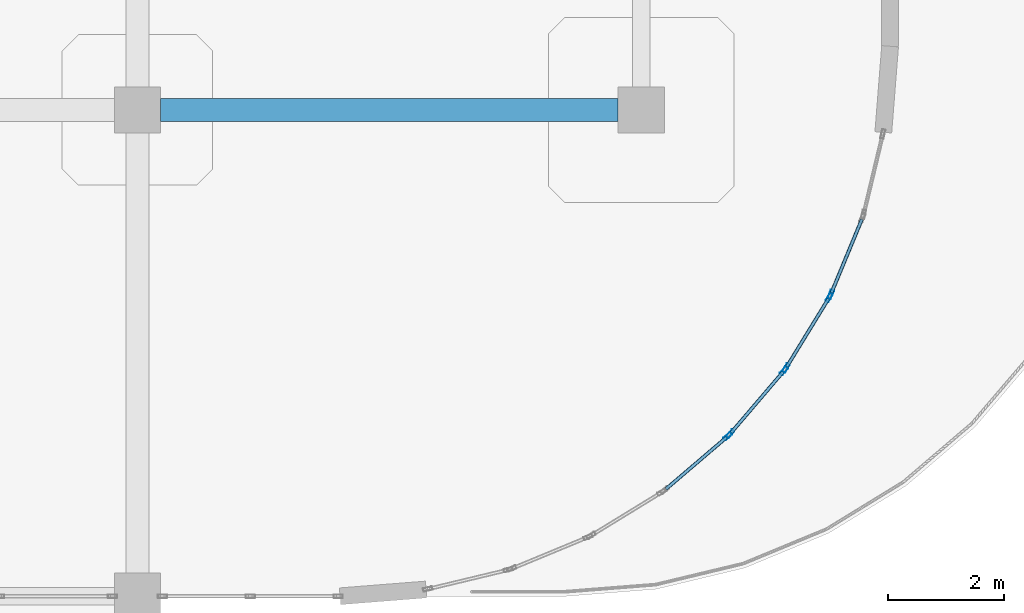
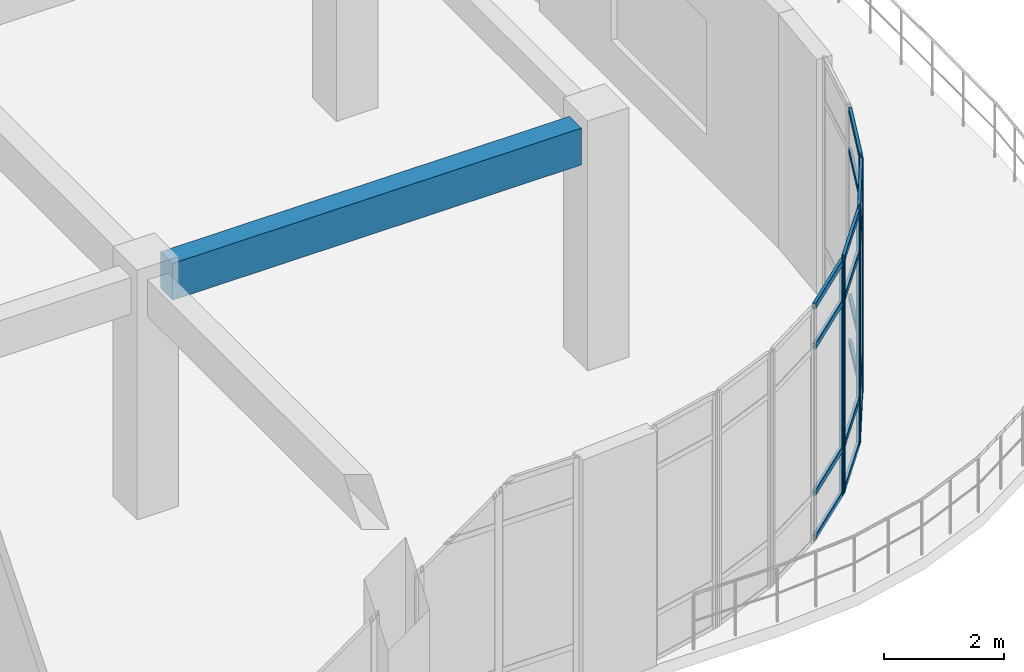
# One storey, part 82 of 124: 22 members, 1 beam, 4 elements without a shape of their own.
"""IFC4 building model written with IfcOpenShell, lengths in metres."""

from ifc_helpers import new_model, si_unit, derived_unit, direction, frame, origin, origin_2d, place, context, subcontext, project, spatial, rectangle, hollow_rectangle, extrude, material, layer, layer_set, material_profile, profile_set, type_object, element, aggregate, save


model = new_model("IFC4")

# Units and contexts
model_context = context("Model", 3, precision=1e-05, world=origin(), true_north=direction((0.0, 1.0)))
body_context = subcontext(model_context, "Body", "Model", "MODEL_VIEW")
ifc_project = project(units=[si_unit("LENGTHUNIT", "METRE"), si_unit("AREAUNIT", "SQUARE_METRE"), si_unit("VOLUMEUNIT", "CUBIC_METRE"), si_unit("PLANEANGLEUNIT", "RADIAN"), si_unit("MASSUNIT", "GRAM", prefix="KILO"), derived_unit("THERMALTRANSMITTANCEUNIT", [(si_unit("MASSUNIT", "GRAM", prefix="KILO"), 1), (si_unit("TIMEUNIT", "SECOND"), -3), (si_unit("THERMODYNAMICTEMPERATUREUNIT", "KELVIN"), -1)])], contexts=[model_context])

# Site, building, storey
site_placement = place(None, origin())
site = spatial("IfcSite", under=ifc_project, at=site_placement, CompositionType="ELEMENT")
building_placement = place(site_placement, origin())
building = spatial("IfcBuilding", under=site, at=building_placement, Name="Qinzheling Arcade Emporium", CompositionType="ELEMENT")
storey_placement = place(building_placement, frame((0.0, 0.0, 16.5)))
storey = spatial("IfcBuildingStorey", under=building, at=storey_placement, Name="L04", CompositionType="ELEMENT", Elevation=16.5)

# Curtain wall, member
ifc_material_1 = material(Name="Anodised aluminium and solar-control double glazing", Category="aluminium")
ifc_layer = layer(ifc_material_1, 0.159912109375, Name="Anodised aluminium and solar-control double glazing", Category="aluminium")
ifc_layer_set = layer_set([ifc_layer], Name="Anodised aluminium and solar-control double glazing")
curtain_wall_type = type_object("IfcCurtainWallType", Name="Curved Ribbon Sales Curtain Wall", PredefinedType="NOTDEFINED", material=ifc_layer_set)
curtain_wall_1_placement = place(storey_placement, origin())
curtain_wall_1 = element("IfcCurtainWall", 1, at=curtain_wall_1_placement, inside=storey, type_object=curtain_wall_type, Name="Curtain Wall CW-L04-275", PredefinedType="NOTDEFINED")
ifc_material_2 = material(Name="Anodised aluminium 6063-T6", Category="aluminium")
ifc_material_profile_1 = material_profile(ifc_material_2, hollow_rectangle(XDim=0.06005859375, YDim=0.159912109375, WallThickness=0.00390625, InnerFilletRadius=0.00390625, OuterFilletRadius=0.008056640625, at=origin_2d()), Name="RHS 160x60x4", Category="aluminium")
ifc_profile_set_1 = profile_set([ifc_material_profile_1], Name="Anodised aluminium 6063-T6")
member_type_1 = type_object("IfcMemberType", Name="Curtain Wall Mullion RHS160x60", PredefinedType="MULLION", material=ifc_profile_set_1)
member_1_placement = place(storey_placement, frame((142.4765625, 79.0146484375, 0.0), z_axis=(0.0, 0.0, 1.0), x_axis=(0.923967777063, -0.382470321658, 0.0)))
member_1 = element("IfcMember", 2, at=member_1_placement, type_object=member_type_1, Name="CW02 mullion 2", PredefinedType="MULLION", context=body_context, shape_type="SweptSolid", body=[
    extrude(hollow_rectangle(XDim=0.06005859375, YDim=0.159912109375, WallThickness=0.00390625, InnerFilletRadius=0.00390625, OuterFilletRadius=0.008056640625, at=origin_2d()), origin(), (0.0, 0.0, 1.0), 4.7900390625),
])

# Curtain wall, members
curtain_wall_2_placement = place(storey_placement, origin())
curtain_wall_2 = element("IfcCurtainWall", 3, at=curtain_wall_2_placement, inside=storey, type_object=curtain_wall_type, Name="Curtain Wall CW-L04-276", PredefinedType="NOTDEFINED")
member_2_placement = place(storey_placement, frame((142.44921875, 78.96142578125, 0.0), z_axis=(0.0, 0.0, 1.0), x_axis=(0.852601252413, -0.522562057926, 0.0)))
member_2 = element("IfcMember", 4, at=member_2_placement, type_object=member_type_1, Name="CW02 mullion 1", PredefinedType="MULLION", context=body_context, shape_type="SweptSolid", body=[
    extrude(hollow_rectangle(XDim=0.06005859375, YDim=0.159912109375, WallThickness=0.00390625, InnerFilletRadius=0.00390625, OuterFilletRadius=0.008056640625, at=origin_2d()), origin(), (0.0, 0.0, 1.0), 4.7900390625),
])
member_3_placement = place(storey_placement, frame((141.70166015625, 77.74169921875, 0.0), z_axis=(0.0, 0.0, 1.0), x_axis=(0.852601252413, -0.522562057926, 0.0)))
member_3 = element("IfcMember", 5, at=member_3_placement, type_object=member_type_1, Name="CW02 mullion 2", PredefinedType="MULLION", context=body_context, shape_type="SweptSolid", body=[
    extrude(hollow_rectangle(XDim=0.06005859375, YDim=0.159912109375, WallThickness=0.00390625, InnerFilletRadius=0.00390625, OuterFilletRadius=0.008056640625, at=origin_2d()), origin(), (0.0, 0.0, 1.0), 4.7900390625),
])

curtain_wall_3_placement = place(storey_placement, origin())
curtain_wall_3 = element("IfcCurtainWall", 6, at=curtain_wall_3_placement, inside=storey, type_object=curtain_wall_type, Name="Curtain Wall CW-L04-277", PredefinedType="NOTDEFINED")
member_4_placement = place(storey_placement, frame((141.66650390625, 77.693115234375, 0.0), z_axis=(0.0, 0.0, 1.0), x_axis=(0.760580657994, -0.649243454095, 0.0)))
member_4 = element("IfcMember", 7, at=member_4_placement, type_object=member_type_1, Name="CW02 mullion 1", PredefinedType="MULLION", context=body_context, shape_type="SweptSolid", body=[
    extrude(hollow_rectangle(XDim=0.06005859375, YDim=0.159912109375, WallThickness=0.00390625, InnerFilletRadius=0.00390625, OuterFilletRadius=0.008056640625, at=origin_2d()), origin(), (0.0, 0.0, 1.0), 4.7900390625),
])
member_5_placement = place(storey_placement, frame((140.737548828125, 76.604736328125, 0.0), z_axis=(0.0, 0.0, 1.0), x_axis=(0.760580657994, -0.649243454095, 0.0)))
member_5 = element("IfcMember", 8, at=member_5_placement, type_object=member_type_1, Name="CW02 mullion 2", PredefinedType="MULLION", context=body_context, shape_type="SweptSolid", body=[
    extrude(hollow_rectangle(XDim=0.06005859375, YDim=0.159912109375, WallThickness=0.00390625, InnerFilletRadius=0.00390625, OuterFilletRadius=0.008056640625, at=origin_2d()), origin(), (0.0, 0.0, 1.0), 4.7900390625),
])

# Curtain wall, member
curtain_wall_4_placement = place(storey_placement, origin())
curtain_wall_4 = element("IfcCurtainWall", 9, at=curtain_wall_4_placement, inside=storey, type_object=curtain_wall_type, Name="Curtain Wall CW-L04-278", PredefinedType="NOTDEFINED")
member_6_placement = place(storey_placement, frame((140.695068359375, 76.5625, 0.0), z_axis=(0.0, 0.0, 1.0), x_axis=(0.649243454095, -0.760580657994, 0.0)))
member_6 = element("IfcMember", 10, at=member_6_placement, type_object=member_type_1, Name="CW02 mullion 1", PredefinedType="MULLION", context=body_context, shape_type="SweptSolid", body=[
    extrude(hollow_rectangle(XDim=0.06005859375, YDim=0.159912109375, WallThickness=0.00390625, InnerFilletRadius=0.00390625, OuterFilletRadius=0.008056640625, at=origin_2d()), origin(), (0.0, 0.0, 1.0), 4.7900390625),
])

# Member
ifc_material_profile_2 = material_profile(ifc_material_2, hollow_rectangle(XDim=0.06005859375, YDim=0.1201171875, WallThickness=0.00390625, InnerFilletRadius=0.00390625, OuterFilletRadius=0.008056640625, at=origin_2d()), Name="RHS 120x60x4", Category="aluminium")
ifc_profile_set_2 = profile_set([ifc_material_profile_2], Name="Anodised aluminium 6063-T6")
member_type_2 = type_object("IfcMemberType", Name="Curtain Wall Transom RHS120x60", PredefinedType="USERDEFINED", material=ifc_profile_set_2)
member_7_placement = place(storey_placement, frame((143.011962890625, 80.30859375, 0.030029296875), z_axis=(-0.38236228419, -0.924012491057, 0.0), x_axis=(0.924012491057, -0.38236228419, 0.0)))
member_7 = element("IfcMember", 11, at=member_7_placement, type_object=member_type_2, Name="CW02 transom 1.1", ObjectType="TRANSOM", PredefinedType="USERDEFINED", context=body_context, shape_type="SweptSolid", body=[
    extrude(hollow_rectangle(XDim=0.06005859375, YDim=0.1201171875, WallThickness=0.00390625, InnerFilletRadius=0.00390625, OuterFilletRadius=0.008056640625, at=origin_2d()), origin(), (0.0, 0.0, 1.0), 1.3701171875),
])

member_8_placement = place(storey_placement, frame((143.011962890625, 80.30859375, 0.949951171875), z_axis=(-0.38236228419, -0.924012491057, 0.0), x_axis=(0.924012491057, -0.38236228419, 0.0)))
member_8 = element("IfcMember", 12, at=member_8_placement, type_object=member_type_2, Name="CW02 transom 1.2", ObjectType="TRANSOM", PredefinedType="USERDEFINED", context=body_context, shape_type="SweptSolid", body=[
    extrude(hollow_rectangle(XDim=0.06005859375, YDim=0.1201171875, WallThickness=0.00390625, InnerFilletRadius=0.00390625, OuterFilletRadius=0.008056640625, at=origin_2d()), origin(), (0.0, 0.0, 1.0), 1.3701171875),
])

member_9_placement = place(storey_placement, frame((143.011962890625, 80.30859375, 3.93994140625), z_axis=(-0.38236228419, -0.924012491057, 0.0), x_axis=(0.924012491057, -0.38236228419, 0.0)))
member_9 = element("IfcMember", 13, at=member_9_placement, type_object=member_type_2, Name="CW02 transom 1.3", ObjectType="TRANSOM", PredefinedType="USERDEFINED", context=body_context, shape_type="SweptSolid", body=[
    extrude(hollow_rectangle(XDim=0.06005859375, YDim=0.1201171875, WallThickness=0.00390625, InnerFilletRadius=0.00390625, OuterFilletRadius=0.008056640625, at=origin_2d()), origin(), (0.0, 0.0, 1.0), 1.3701171875),
])

member_10_placement = place(storey_placement, frame((143.011962890625, 80.30859375, 4.760009765625), z_axis=(-0.38236228419, -0.924012491057, 0.0), x_axis=(0.924012491057, -0.38236228419, 0.0)))
member_10 = element("IfcMember", 14, at=member_10_placement, type_object=member_type_2, Name="CW02 transom 1.4", ObjectType="TRANSOM", PredefinedType="USERDEFINED", context=body_context, shape_type="SweptSolid", body=[
    extrude(hollow_rectangle(XDim=0.06005859375, YDim=0.1201171875, WallThickness=0.00390625, InnerFilletRadius=0.00390625, OuterFilletRadius=0.008056640625, at=origin_2d()), origin(), (0.0, 0.0, 1.0), 1.3701171875),
])

aggregate(curtain_wall_1, [member_1, member_7, member_8, member_9, member_10])

member_11_placement = place(storey_placement, frame((142.43359375, 78.935791015625, 0.030029296875), z_axis=(-0.522566234413, -0.852598692616, 0.0), x_axis=(0.852598692616, -0.522566234413, 0.0)))
member_11 = element("IfcMember", 15, at=member_11_placement, type_object=member_type_2, Name="CW02 transom 1.1", ObjectType="TRANSOM", PredefinedType="USERDEFINED", context=body_context, shape_type="SweptSolid", body=[
    extrude(hollow_rectangle(XDim=0.06005859375, YDim=0.1201171875, WallThickness=0.00390625, InnerFilletRadius=0.00390625, OuterFilletRadius=0.008056640625, at=origin_2d()), origin(), (0.0, 0.0, 1.0), 1.370849609375),
])

member_12_placement = place(storey_placement, frame((142.43359375, 78.935791015625, 0.949951171875), z_axis=(-0.522566234413, -0.852598692616, 0.0), x_axis=(0.852598692616, -0.522566234413, 0.0)))
member_12 = element("IfcMember", 16, at=member_12_placement, type_object=member_type_2, Name="CW02 transom 1.2", ObjectType="TRANSOM", PredefinedType="USERDEFINED", context=body_context, shape_type="SweptSolid", body=[
    extrude(hollow_rectangle(XDim=0.06005859375, YDim=0.1201171875, WallThickness=0.00390625, InnerFilletRadius=0.00390625, OuterFilletRadius=0.008056640625, at=origin_2d()), origin(), (0.0, 0.0, 1.0), 1.370849609375),
])

member_13_placement = place(storey_placement, frame((142.43359375, 78.935791015625, 3.93994140625), z_axis=(-0.522566234413, -0.852598692616, 0.0), x_axis=(0.852598692616, -0.522566234413, 0.0)))
member_13 = element("IfcMember", 17, at=member_13_placement, type_object=member_type_2, Name="CW02 transom 1.3", ObjectType="TRANSOM", PredefinedType="USERDEFINED", context=body_context, shape_type="SweptSolid", body=[
    extrude(hollow_rectangle(XDim=0.06005859375, YDim=0.1201171875, WallThickness=0.00390625, InnerFilletRadius=0.00390625, OuterFilletRadius=0.008056640625, at=origin_2d()), origin(), (0.0, 0.0, 1.0), 1.370849609375),
])

member_14_placement = place(storey_placement, frame((142.43359375, 78.935791015625, 4.760009765625), z_axis=(-0.522566234413, -0.852598692616, 0.0), x_axis=(0.852598692616, -0.522566234413, 0.0)))
member_14 = element("IfcMember", 18, at=member_14_placement, type_object=member_type_2, Name="CW02 transom 1.4", ObjectType="TRANSOM", PredefinedType="USERDEFINED", context=body_context, shape_type="SweptSolid", body=[
    extrude(hollow_rectangle(XDim=0.06005859375, YDim=0.1201171875, WallThickness=0.00390625, InnerFilletRadius=0.00390625, OuterFilletRadius=0.008056640625, at=origin_2d()), origin(), (0.0, 0.0, 1.0), 1.370849609375),
])

aggregate(curtain_wall_2, [member_2, member_3, member_11, member_12, member_13, member_14])

member_15_placement = place(storey_placement, frame((141.64697265625, 77.67041015625, 0.030029296875), z_axis=(-0.649264892352, -0.760562357443, 0.0), x_axis=(0.760562357443, -0.649264892352, 0.0)))
member_15 = element("IfcMember", 19, at=member_15_placement, type_object=member_type_2, Name="CW02 transom 1.1", ObjectType="TRANSOM", PredefinedType="USERDEFINED", context=body_context, shape_type="SweptSolid", body=[
    extrude(hollow_rectangle(XDim=0.06005859375, YDim=0.1201171875, WallThickness=0.00390625, InnerFilletRadius=0.00390625, OuterFilletRadius=0.008056640625, at=origin_2d()), origin(), (0.0, 0.0, 1.0), 1.37109375),
])

member_16_placement = place(storey_placement, frame((141.64697265625, 77.67041015625, 0.949951171875), z_axis=(-0.649264892352, -0.760562357443, 0.0), x_axis=(0.760562357443, -0.649264892352, 0.0)))
member_16 = element("IfcMember", 20, at=member_16_placement, type_object=member_type_2, Name="CW02 transom 1.2", ObjectType="TRANSOM", PredefinedType="USERDEFINED", context=body_context, shape_type="SweptSolid", body=[
    extrude(hollow_rectangle(XDim=0.06005859375, YDim=0.1201171875, WallThickness=0.00390625, InnerFilletRadius=0.00390625, OuterFilletRadius=0.008056640625, at=origin_2d()), origin(), (0.0, 0.0, 1.0), 1.37109375),
])

member_17_placement = place(storey_placement, frame((141.64697265625, 77.67041015625, 3.93994140625), z_axis=(-0.649264892352, -0.760562357443, 0.0), x_axis=(0.760562357443, -0.649264892352, 0.0)))
member_17 = element("IfcMember", 21, at=member_17_placement, type_object=member_type_2, Name="CW02 transom 1.3", ObjectType="TRANSOM", PredefinedType="USERDEFINED", context=body_context, shape_type="SweptSolid", body=[
    extrude(hollow_rectangle(XDim=0.06005859375, YDim=0.1201171875, WallThickness=0.00390625, InnerFilletRadius=0.00390625, OuterFilletRadius=0.008056640625, at=origin_2d()), origin(), (0.0, 0.0, 1.0), 1.37109375),
])

member_18_placement = place(storey_placement, frame((141.64697265625, 77.67041015625, 4.760009765625), z_axis=(-0.649264892352, -0.760562357443, 0.0), x_axis=(0.760562357443, -0.649264892352, 0.0)))
member_18 = element("IfcMember", 22, at=member_18_placement, type_object=member_type_2, Name="CW02 transom 1.4", ObjectType="TRANSOM", PredefinedType="USERDEFINED", context=body_context, shape_type="SweptSolid", body=[
    extrude(hollow_rectangle(XDim=0.06005859375, YDim=0.1201171875, WallThickness=0.00390625, InnerFilletRadius=0.00390625, OuterFilletRadius=0.008056640625, at=origin_2d()), origin(), (0.0, 0.0, 1.0), 1.37109375),
])

aggregate(curtain_wall_3, [member_4, member_5, member_15, member_16, member_17, member_18])

member_19_placement = place(storey_placement, frame((140.67236328125, 76.54296875, 0.030029296875), z_axis=(-0.76065029568, -0.649161865548, 0.0), x_axis=(0.649161865548, -0.76065029568, 0.0)))
member_19 = element("IfcMember", 23, at=member_19_placement, type_object=member_type_2, Name="CW02 transom 1.1", ObjectType="TRANSOM", PredefinedType="USERDEFINED", context=body_context, shape_type="SweptSolid", body=[
    extrude(hollow_rectangle(XDim=0.06005859375, YDim=0.1201171875, WallThickness=0.00390625, InnerFilletRadius=0.00390625, OuterFilletRadius=0.008056640625, at=origin_2d()), origin(), (0.0, 0.0, 1.0), 1.370849609375),
])

member_20_placement = place(storey_placement, frame((140.67236328125, 76.54296875, 0.949951171875), z_axis=(-0.76065029568, -0.649161865548, 0.0), x_axis=(0.649161865548, -0.76065029568, 0.0)))
member_20 = element("IfcMember", 24, at=member_20_placement, type_object=member_type_2, Name="CW02 transom 1.2", ObjectType="TRANSOM", PredefinedType="USERDEFINED", context=body_context, shape_type="SweptSolid", body=[
    extrude(hollow_rectangle(XDim=0.06005859375, YDim=0.1201171875, WallThickness=0.00390625, InnerFilletRadius=0.00390625, OuterFilletRadius=0.008056640625, at=origin_2d()), origin(), (0.0, 0.0, 1.0), 1.370849609375),
])

member_21_placement = place(storey_placement, frame((140.67236328125, 76.54296875, 3.93994140625), z_axis=(-0.76065029568, -0.649161865548, 0.0), x_axis=(0.649161865548, -0.76065029568, 0.0)))
member_21 = element("IfcMember", 25, at=member_21_placement, type_object=member_type_2, Name="CW02 transom 1.3", ObjectType="TRANSOM", PredefinedType="USERDEFINED", context=body_context, shape_type="SweptSolid", body=[
    extrude(hollow_rectangle(XDim=0.06005859375, YDim=0.1201171875, WallThickness=0.00390625, InnerFilletRadius=0.00390625, OuterFilletRadius=0.008056640625, at=origin_2d()), origin(), (0.0, 0.0, 1.0), 1.370849609375),
])

member_22_placement = place(storey_placement, frame((140.67236328125, 76.54296875, 4.760009765625), z_axis=(-0.76065029568, -0.649161865548, 0.0), x_axis=(0.649161865548, -0.76065029568, 0.0)))
member_22 = element("IfcMember", 26, at=member_22_placement, type_object=member_type_2, Name="CW02 transom 1.4", ObjectType="TRANSOM", PredefinedType="USERDEFINED", context=body_context, shape_type="SweptSolid", body=[
    extrude(hollow_rectangle(XDim=0.06005859375, YDim=0.1201171875, WallThickness=0.00390625, InnerFilletRadius=0.00390625, OuterFilletRadius=0.008056640625, at=origin_2d()), origin(), (0.0, 0.0, 1.0), 1.370849609375),
])

aggregate(curtain_wall_4, [member_6, member_19, member_20, member_21, member_22])

# Beam
ifc_material_3 = material(Name="Concrete C40", Category="concrete")
ifc_material_profile_3 = material_profile(ifc_material_3, rectangle(XDim=0.39990234375, YDim=0.75, at=origin_2d()), Name="RC 400x750", Category="concrete")
ifc_profile_set_3 = profile_set([ifc_material_profile_3], Name="Concrete C40")
beam_type = type_object("IfcBeamType", Name="RC Interior Tie Beam 400x750 C40", PredefinedType="BEAM", material=ifc_profile_set_3)
beam_placement = place(storey_placement, frame((130.89990234375, 82.199951171875, 4.4599609375), z_axis=(1.0, 0.0, 0.0), x_axis=(0.0, 1.0, 0.0)))
element("IfcBeam", 27, at=beam_placement, inside=storey, type_object=beam_type, Name="Beam BM-L04-X-K-16", PredefinedType="BEAM", context=body_context, shape_type="SweptSolid", body=[
    extrude(rectangle(XDim=0.39990234375, YDim=0.75, at=origin_2d()), origin(), (0.0, 0.0, 1.0), 7.900146484375),
])

save(model, "model.ifc")
